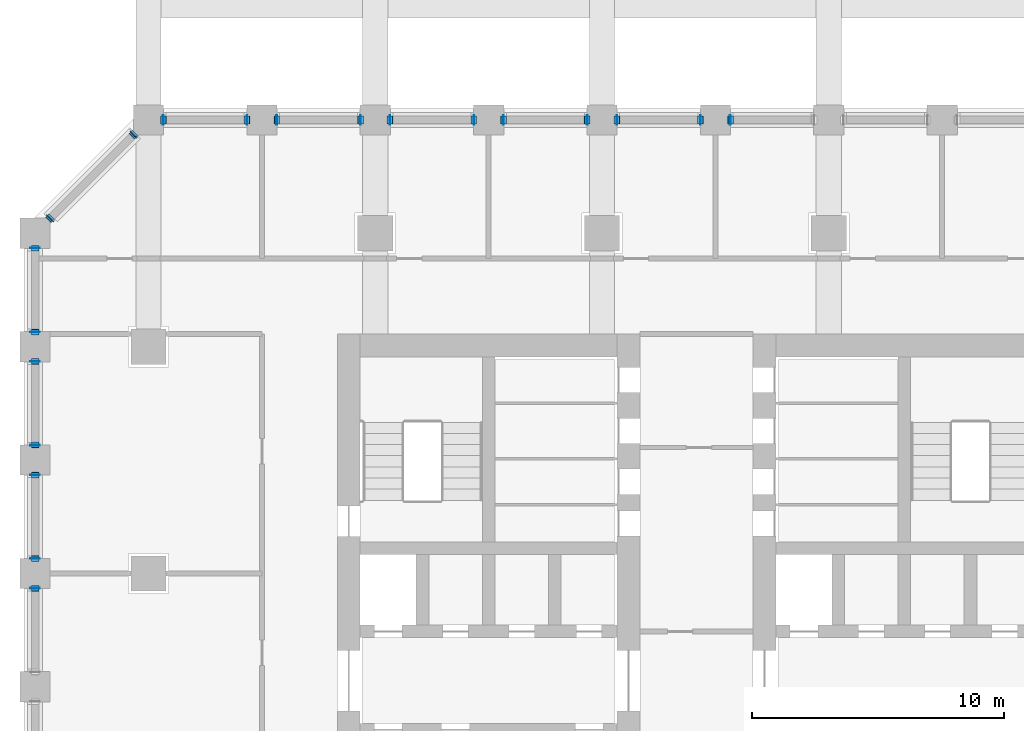
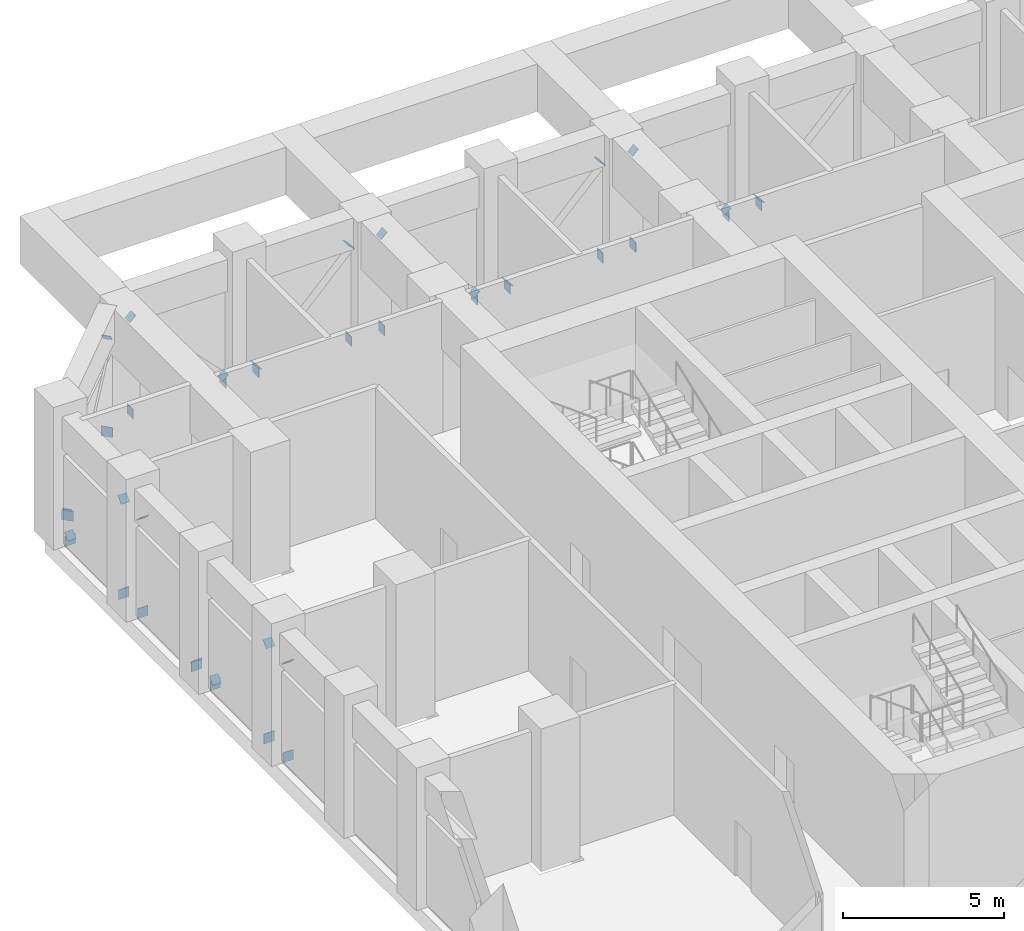
# One storey, part 11 of 20: 40 discrete accessories.
"""IFC4 building model written with IfcOpenShell, lengths in metres."""

from ifc_helpers import new_model, si_unit, direction, frame, origin, origin_2d, place, context, subcontext, project, spatial, rectangle, extrude, material, material_profile, profile_set, type_object, element, save


model = new_model("IFC4")

# Units and contexts
model_context = context("Model", 3, precision=1e-05, world=origin(), true_north=direction((0.0, 1.0)))
body_context = subcontext(model_context, "Body", "Model", "MODEL_VIEW")
ifc_project = project(units=[si_unit("LENGTHUNIT", "METRE"), si_unit("AREAUNIT", "SQUARE_METRE"), si_unit("VOLUMEUNIT", "CUBIC_METRE"), si_unit("PLANEANGLEUNIT", "RADIAN"), si_unit("MASSUNIT", "GRAM", prefix="KILO")], contexts=[model_context])

# Site, building, storey
site_placement = place(None, origin())
site = spatial("IfcSite", under=ifc_project, at=site_placement, CompositionType="ELEMENT")
building_placement = place(site_placement, origin())
building = spatial("IfcBuilding", under=site, at=building_placement, Name="Corbel Stack Research Tower", CompositionType="ELEMENT")
storey_placement = place(building_placement, frame((0.0, 0.0, 76.60009765625)))
storey = spatial("IfcBuildingStorey", under=building, at=storey_placement, Name="L17", CompositionType="ELEMENT", Elevation=76.60009765625)

# Discrete accessories
ifc_material_1 = material(Name="Steel S355", Category="steel")
ifc_material_profile_1 = material_profile(ifc_material_1, rectangle(XDim=0.304931640625, YDim=0.304931640625, at=origin_2d()), Name="End plate 305x305x25")
ifc_profile_set_1 = profile_set([ifc_material_profile_1], Name="Steel S355")
discrete_accessory_type_1 = type_object("IfcDiscreteAccessoryType", Name="End plate 305x305x25", PredefinedType="ANCHORPLATE", material=ifc_profile_set_1)
for number, where, z_axis, x_axis, name in (
    (1, (5.10009765625, 27.0, 0.371826171875), (-0.702213483406, 0.0, -0.711966448453), (0.0, -1.0, 0.0), "Belt truss end plate L17-26d1"),
    (2, (3.89990234375, 27.0, 0.371826171875), (0.702213483406, 0.0, -0.711966448453), (0.0, 1.0, 0.0), "Belt truss end plate L17-27d1"),
    (3, (0.60009765625, 27.0, 3.75), (-0.702213483406, 0.0, 0.711966448453), (0.0, -1.0, 0.0), "Belt truss end plate L17-27d2"),
    (4, (-3.89990234375, 27.0, 0.371826171875), (-0.702213483406, 0.0, -0.711966448453), (0.0, -1.0, 0.0), "Belt truss end plate L17-28d1"),
    (5, (-0.60009765625, 27.0, 3.75), (0.702213483406, 0.0, 0.711966448453), (0.0, 1.0, 0.0), "Belt truss end plate L17-28d2"),
    (6, (-5.10009765625, 27.0, 0.371826171875), (0.702213483406, 0.0, -0.711966448453), (0.0, 1.0, 0.0), "Belt truss end plate L17-29d1"),
    (7, (-8.39990234375, 27.0, 3.75), (-0.702213483406, 0.0, 0.711966448453), (0.0, -1.0, 0.0), "Belt truss end plate L17-29d2"),
    (8, (-12.89990234375, 27.0, 0.371826171875), (-0.702213483406, 0.0, -0.711966448453), (0.0, -1.0, 0.0), "Belt truss end plate L17-30d1"),
    (9, (-9.60009765625, 27.0, 3.75), (0.702213483406, 0.0, 0.711966448453), (0.0, 1.0, 0.0), "Belt truss end plate L17-30d2"),
    (10, (-14.10009765625, 27.0, 0.371826171875), (0.702213483406, 0.0, -0.711966448453), (0.0, 1.0, 0.0), "Belt truss end plate L17-31d1"),
    (11, (-17.39990234375, 27.0, 3.75), (-0.702213483406, 0.0, 0.711966448453), (0.0, -1.0, 0.0), "Belt truss end plate L17-31d2"),
    (12, (-21.89990234375, 23.10009765625, 0.371826171875), (-0.574088609441, -0.574088609441, -0.583818924856), (0.707106781187, -0.707106781187, 0.0), "Belt truss end plate L17-32d1"),
    (13, (-18.60009765625, 26.39990234375, 3.75), (0.574088609441, 0.574088609441, 0.583818924856), (-0.707106781187, 0.707106781187, 0.0), "Belt truss end plate L17-32d2"),
    (14, (-22.5, 21.89990234375, 0.371826171875), (0.0, 0.702213483406, -0.711966448453), (-1.0, 0.0, 0.0), "Belt truss end plate L17-33d1"),
    (15, (-22.5, 18.60009765625, 3.75), (0.0, -0.702213483406, 0.711966448453), (1.0, 0.0, 0.0), "Belt truss end plate L17-33d2"),
    (16, (-22.5, 14.10009765625, 0.371826171875), (0.0, -0.702213483406, -0.711966448453), (1.0, 0.0, 0.0), "Belt truss end plate L17-34d1"),
    (17, (-22.5, 17.39990234375, 3.75), (0.0, 0.702213483406, 0.711966448453), (-1.0, 0.0, 0.0), "Belt truss end plate L17-34d2"),
    (18, (-22.5, 12.89990234375, 0.371826171875), (0.0, 0.702213483406, -0.711966448453), (-1.0, 0.0, 0.0), "Belt truss end plate L17-35d1"),
    (19, (-22.5, 9.60009765625, 3.75), (0.0, -0.702213483406, 0.711966448453), (1.0, 0.0, 0.0), "Belt truss end plate L17-35d2"),
    (20, (-22.5, 8.39990234375, 3.75), (0.0, 0.702213483406, 0.711966448453), (-1.0, 0.0, 0.0), "Belt truss end plate L17-36d2"),
):
    element("IfcDiscreteAccessory", number, at=place(storey_placement, frame(where, z_axis=z_axis, x_axis=x_axis)), inside=storey, type_object=discrete_accessory_type_1, Name=name, PredefinedType="ANCHORPLATE", context=body_context, shape_type="SweptSolid", body=[
        extrude(rectangle(XDim=0.304931640625, YDim=0.304931640625, at=origin_2d()), origin(), (0.0, 0.0, 1.0), 0.025146484375),
    ])
ifc_material_2 = material(Name="Steel S355", Category="steel")
ifc_material_profile_2 = material_profile(ifc_material_2, rectangle(XDim=0.3740234375, YDim=0.3720703125, at=origin_2d()), Name="End plate 374x372x25")
ifc_profile_set_2 = profile_set([ifc_material_profile_2], Name="Steel S355")
discrete_accessory_type_2 = type_object("IfcDiscreteAccessoryType", Name="End plate 374x372x25", PredefinedType="ANCHORPLATE", material=ifc_profile_set_2)
for number, where, z_axis, x_axis, name in (
    (21, (5.10009765625, 27.0, 0.185791015625), (-1.0, 0.0, 0.0), (0.0, -1.0, 0.0), "Belt truss end plate L17-26c2"),
    (22, (3.89990234375, 27.0, 0.185791015625), (1.0, 0.0, 0.0), (0.0, 1.0, 0.0), "Belt truss end plate L17-27c1"),
    (23, (0.60009765625, 27.0, 0.185791015625), (-1.0, 0.0, 0.0), (0.0, -1.0, 0.0), "Belt truss end plate L17-27c2"),
    (24, (-0.60009765625, 27.0, 0.185791015625), (1.0, 0.0, 0.0), (0.0, 1.0, 0.0), "Belt truss end plate L17-28c1"),
    (25, (-3.89990234375, 27.0, 0.185791015625), (-1.0, 0.0, 0.0), (0.0, -1.0, 0.0), "Belt truss end plate L17-28c2"),
    (26, (-5.10009765625, 27.0, 0.185791015625), (1.0, 0.0, 0.0), (0.0, 1.0, 0.0), "Belt truss end plate L17-29c1"),
    (27, (-8.39990234375, 27.0, 0.185791015625), (-1.0, 0.0, 0.0), (0.0, -1.0, 0.0), "Belt truss end plate L17-29c2"),
    (28, (-9.60009765625, 27.0, 0.185791015625), (1.0, 0.0, 0.0), (0.0, 1.0, 0.0), "Belt truss end plate L17-30c1"),
    (29, (-12.89990234375, 27.0, 0.185791015625), (-1.0, 0.0, 0.0), (0.0, -1.0, 0.0), "Belt truss end plate L17-30c2"),
    (30, (-14.10009765625, 27.0, 0.185791015625), (1.0, 0.0, 0.0), (0.0, 1.0, 0.0), "Belt truss end plate L17-31c1"),
    (31, (-17.39990234375, 27.0, 0.185791015625), (-1.0, 0.0, 0.0), (0.0, -1.0, 0.0), "Belt truss end plate L17-31c2"),
    (32, (-18.60009765625, 26.39990234375, 0.185791015625), (0.707106781187, 0.707106781187, 0.0), (-0.707106781187, 0.707106781187, 0.0), "Belt truss end plate L17-32c1"),
    (33, (-21.89990234375, 23.10009765625, 0.185791015625), (-0.707106781187, -0.707106781187, 0.0), (0.707106781187, -0.707106781187, 0.0), "Belt truss end plate L17-32c2"),
    (34, (-22.5, 21.89990234375, 0.185791015625), (0.0, 1.0, 0.0), (-1.0, 0.0, 0.0), "Belt truss end plate L17-33c1"),
    (35, (-22.5, 18.60009765625, 0.185791015625), (0.0, -1.0, 0.0), (1.0, 0.0, 0.0), "Belt truss end plate L17-33c2"),
    (36, (-22.5, 17.39990234375, 0.185791015625), (0.0, 1.0, 0.0), (-1.0, 0.0, 0.0), "Belt truss end plate L17-34c1"),
    (37, (-22.5, 14.10009765625, 0.185791015625), (0.0, -1.0, 0.0), (1.0, 0.0, 0.0), "Belt truss end plate L17-34c2"),
    (38, (-22.5, 12.89990234375, 0.185791015625), (0.0, 1.0, 0.0), (-1.0, 0.0, 0.0), "Belt truss end plate L17-35c1"),
    (39, (-22.5, 9.60009765625, 0.185791015625), (0.0, -1.0, 0.0), (1.0, 0.0, 0.0), "Belt truss end plate L17-35c2"),
    (40, (-22.5, 8.39990234375, 0.185791015625), (0.0, 1.0, 0.0), (-1.0, 0.0, 0.0), "Belt truss end plate L17-36c1"),
):
    element("IfcDiscreteAccessory", number, at=place(storey_placement, frame(where, z_axis=z_axis, x_axis=x_axis)), inside=storey, type_object=discrete_accessory_type_2, Name=name, PredefinedType="ANCHORPLATE", context=body_context, shape_type="SweptSolid", body=[
        extrude(rectangle(XDim=0.3740234375, YDim=0.3720703125, at=origin_2d()), origin(), (0.0, 0.0, 1.0), 0.025146484375),
    ])

save(model, "model.ifc")
